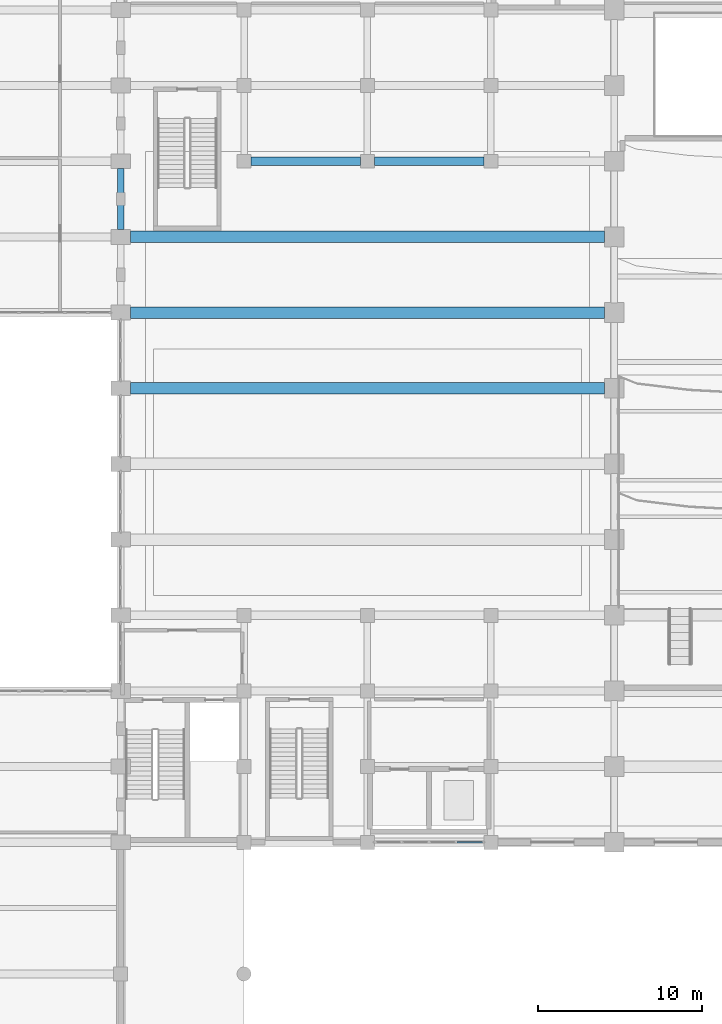
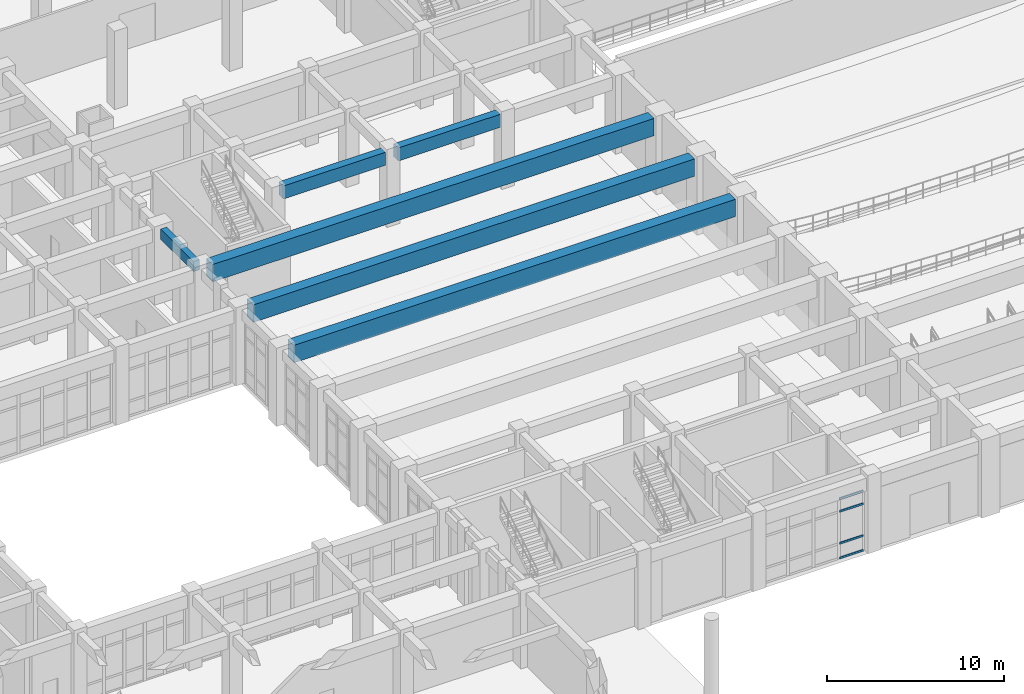
# One storey, part 25 of 84: 6 beams, 4 members, 1 element without a shape of its own.
"""IFC4 building model written with IfcOpenShell, lengths in metres."""

from ifc_helpers import new_model, si_unit, direction, frame, origin, origin_2d, place, context, subcontext, project, spatial, rectangle, hollow_rectangle, extrude, material, layer, layer_set, material_profile, profile_set, type_object, element, aggregate, save


model = new_model("IFC4")

# Units and contexts
model_context = context("Model", 3, precision=1e-05, world=origin(), true_north=direction((0.0, 1.0)))
body_context = subcontext(model_context, "Body", "Model", "MODEL_VIEW")
ifc_project = project(units=[si_unit("LENGTHUNIT", "METRE"), si_unit("AREAUNIT", "SQUARE_METRE"), si_unit("VOLUMEUNIT", "CUBIC_METRE"), si_unit("PLANEANGLEUNIT", "RADIAN"), si_unit("MASSUNIT", "GRAM", prefix="KILO")], contexts=[model_context])

# Site, building, storey
site_placement = place(None, origin())
site = spatial("IfcSite", under=ifc_project, at=site_placement, CompositionType="ELEMENT")
building_placement = place(site_placement, origin())
building = spatial("IfcBuilding", under=site, at=building_placement, Name="Muzn Square Opera House", CompositionType="ELEMENT")
storey_placement = place(building_placement, origin())
storey = spatial("IfcBuildingStorey", under=building, at=storey_placement, Name="L00", CompositionType="ELEMENT", Elevation=0.0)

# Curtain wall, members
ifc_material_1 = material(Name="Low-E laminated acoustic double glazing", Category="glass")
ifc_layer = layer(ifc_material_1, 0.159912109375, Name="Low-E laminated acoustic double glazing", Category="glass")
ifc_layer_set = layer_set([ifc_layer], Name="Low-E laminated acoustic double glazing")
curtain_wall_type = type_object("IfcCurtainWallType", Name="Glazed Curtain Wall Forecourt 6650x4150", PredefinedType="USERDEFINED", material=ifc_layer_set)
curtain_wall_placement = place(storey_placement, origin())
curtain_wall = element("IfcCurtainWall", 1, at=curtain_wall_placement, inside=storey, type_object=curtain_wall_type, Name="Glazed Curtain Wall CW-L00-001", ObjectType="GLAZED CURTAIN WALL", PredefinedType="USERDEFINED")
ifc_material_2 = material(Name="Anodised bronze aluminium 6063-T6", Category="metal")
ifc_material_profile_1 = material_profile(ifc_material_2, hollow_rectangle(XDim=0.070068359375, YDim=0.139892578125, WallThickness=0.00390625, at=origin_2d()), Name="ALU 140x70x4", Category="metal")
ifc_profile_set_1 = profile_set([ifc_material_profile_1], Name="Anodised bronze aluminium 6063-T6")
member_type = type_object("IfcMemberType", Name="Curtain Wall Transom 140x70", PredefinedType="USERDEFINED", material=ifc_profile_set_1)
member_1_placement = place(storey_placement, frame((63.447509765625, 22.0, 0.034912109375), z_axis=(1.0, 0.0, 0.0), x_axis=(0.0, 1.0, 0.0)))
member_1 = element("IfcMember", 2, at=member_1_placement, type_object=member_type, Name="CW-FC-66x41 transom 4.1", ObjectType="TRANSOM", PredefinedType="USERDEFINED", context=body_context, shape_type="SweptSolid", body=[
    extrude(hollow_rectangle(XDim=0.070068359375, YDim=0.139892578125, WallThickness=0.00390625, at=origin_2d()), origin(), (0.0, 0.0, 1.0), 1.557373046875),
])
member_2_placement = place(storey_placement, frame((63.447509765625, 22.0, 1.050048828125), z_axis=(1.0, 0.0, 0.0), x_axis=(0.0, 1.0, 0.0)))
member_2 = element("IfcMember", 3, at=member_2_placement, type_object=member_type, Name="CW-FC-66x41 transom 4.2", ObjectType="TRANSOM", PredefinedType="USERDEFINED", context=body_context, shape_type="SweptSolid", body=[
    extrude(hollow_rectangle(XDim=0.070068359375, YDim=0.139892578125, WallThickness=0.00390625, at=origin_2d()), origin(), (0.0, 0.0, 1.0), 1.557373046875),
])
member_3_placement = place(storey_placement, frame((63.447509765625, 22.0, 3.25), z_axis=(1.0, 0.0, 0.0), x_axis=(0.0, 1.0, 0.0)))
member_3 = element("IfcMember", 4, at=member_3_placement, type_object=member_type, Name="CW-FC-66x41 transom 4.3", ObjectType="TRANSOM", PredefinedType="USERDEFINED", context=body_context, shape_type="SweptSolid", body=[
    extrude(hollow_rectangle(XDim=0.070068359375, YDim=0.139892578125, WallThickness=0.00390625, at=origin_2d()), origin(), (0.0, 0.0, 1.0), 1.557373046875),
])
member_4_placement = place(storey_placement, frame((63.447509765625, 22.0, 4.114990234375), z_axis=(1.0, 0.0, 0.0), x_axis=(0.0, 1.0, 0.0)))
member_4 = element("IfcMember", 5, at=member_4_placement, type_object=member_type, Name="CW-FC-66x41 transom 4.4", ObjectType="TRANSOM", PredefinedType="USERDEFINED", context=body_context, shape_type="SweptSolid", body=[
    extrude(hollow_rectangle(XDim=0.070068359375, YDim=0.139892578125, WallThickness=0.00390625, at=origin_2d()), origin(), (0.0, 0.0, 1.0), 1.557373046875),
])
aggregate(curtain_wall, [member_1, member_2, member_3, member_4])

# Beams
ifc_material_3 = material(Name="Concrete C40/50", Category="concrete")
ifc_material_profile_2 = material_profile(ifc_material_3, rectangle(XDim=0.39990234375, YDim=0.699951171875, at=origin_2d()), Name="RCB 400x700", Category="concrete")
ifc_profile_set_2 = profile_set([ifc_material_profile_2], Name="Concrete C40/50")
beam_type_1 = type_object("IfcBeamType", Name="Primary Girder 400x700", PredefinedType="BEAM", material=ifc_profile_set_2)
beam_placement = place(storey_placement, frame((43.0, 59.241943359375, 4.77001953125), z_axis=(0.0, 1.0, 0.0), x_axis=(-1.0, 0.0, 0.0)))
element("IfcBeam", 6, at=beam_placement, inside=storey, type_object=beam_type_1, Name="Primary Girder BM-L00-BM-PG700-430_592_430_630-1031", PredefinedType="BEAM", context=body_context, shape_type="SweptSolid", body=[
    extrude(rectangle(XDim=0.39990234375, YDim=0.699951171875, at=origin_2d()), origin(), (0.0, 0.0, 1.0), 3.716064453125),
])
ifc_material_profile_3 = material_profile(ifc_material_3, rectangle(XDim=0.5, YDim=0.89990234375, at=origin_2d()), Name="RCB 500x900", Category="concrete")
ifc_profile_set_3 = profile_set([ifc_material_profile_3], Name="Concrete C40/50")
beam_type_2 = type_object("IfcBeamType", Name="Primary Girder 500x900", PredefinedType="BEAM", material=ifc_profile_set_3)
for number, where, z_axis, x_axis, name in (
    (7, (50.9169921875, 63.39990234375, 4.669921875), (1.0, 0.0, 0.0), (0.0, 1.0, 0.0), "Primary Girder BM-L00-BM-PG900-509_634_576_634-868"),
    (8, (58.4169921875, 63.39990234375, 4.669921875), (1.0, 0.0, 0.0), (0.0, 1.0, 0.0), "Primary Girder BM-L00-BM-PG900-584_634_651_634-869"),
):
    element("IfcBeam", number, at=place(storey_placement, frame(where, z_axis=z_axis, x_axis=x_axis)), inside=storey, type_object=beam_type_2, Name=name, PredefinedType="BEAM", context=body_context, shape_type="SweptSolid", body=[
        extrude(rectangle(XDim=0.5, YDim=0.89990234375, at=origin_2d()), origin(), (0.0, 0.0, 1.0), 6.666015625),
    ])
ifc_material_profile_4 = material_profile(ifc_material_3, rectangle(XDim=0.699951171875, YDim=1.199951171875, at=origin_2d()), Name="RCB 700x1200", Category="concrete")
ifc_profile_set_4 = profile_set([ifc_material_profile_4], Name="Concrete C40/50")
beam_type_3 = type_object("IfcBeamType", Name="Primary Girder 700x1200", PredefinedType="BEAM", material=ifc_profile_set_4)
for number, where, z_axis, x_axis, name in (
    (9, (43.592041015625, 49.60009765625, 4.52001953125), (1.0, 0.0, 0.0), (0.0, 1.0, 0.0), "Primary Girder BM-L00-BM-PG1200-436_496_724_496-835"),
    (10, (43.592041015625, 54.199951171875, 4.52001953125), (1.0, 0.0, 0.0), (0.0, 1.0, 0.0), "Primary Girder BM-L00-BM-PG1200-436_542_724_542-844"),
    (11, (43.592041015625, 58.800048828125, 4.52001953125), (1.0, 0.0, 0.0), (0.0, 1.0, 0.0), "Primary Girder BM-L00-BM-PG1200-436_588_724_588-856"),
):
    element("IfcBeam", number, at=place(storey_placement, frame(where, z_axis=z_axis, x_axis=x_axis)), inside=storey, type_object=beam_type_3, Name=name, PredefinedType="BEAM", context=body_context, shape_type="SweptSolid", body=[
        extrude(rectangle(XDim=0.699951171875, YDim=1.199951171875, at=origin_2d()), origin(), (0.0, 0.0, 1.0), 28.81591796875),
    ])

save(model, "model.ifc")
